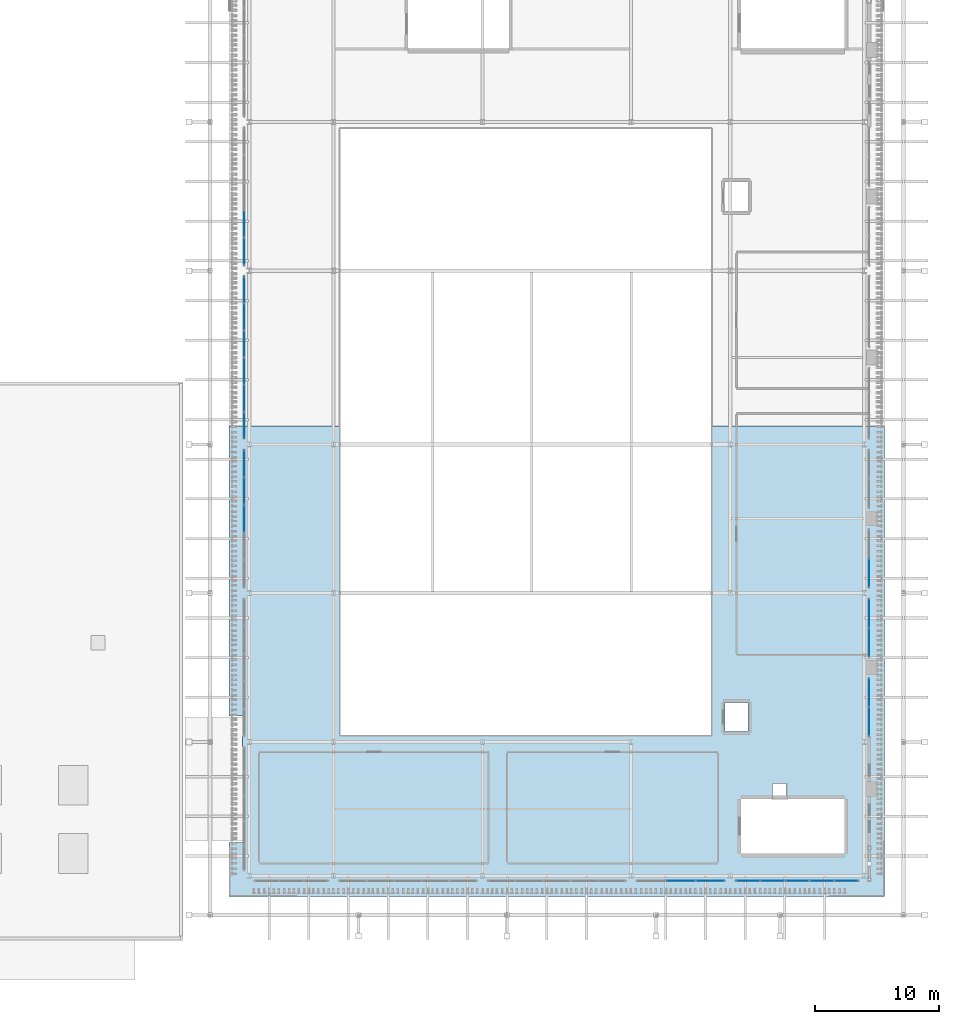
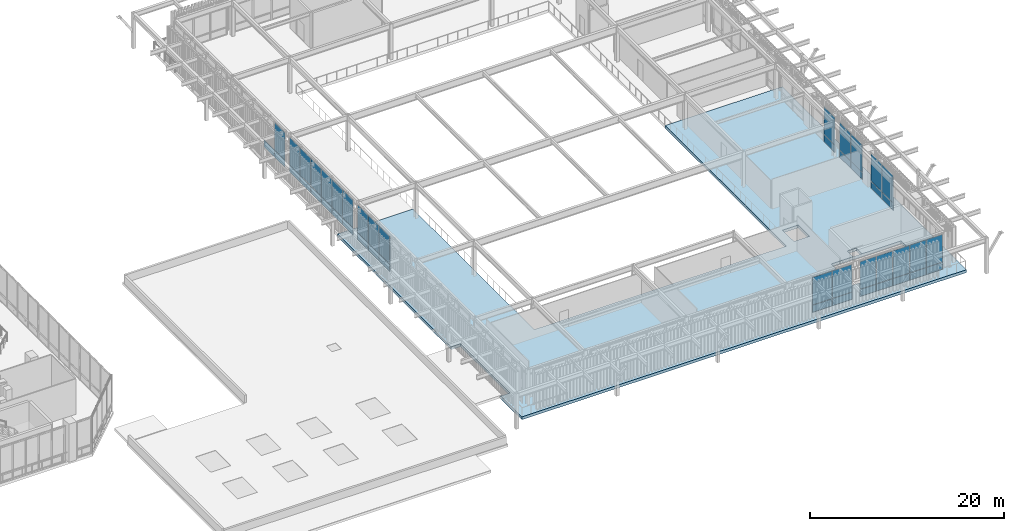
# One storey, part 75 of 126: 45 plates, 1 slab, 8 elements without a shape of their own.
"""IFC4 building model written with IfcOpenShell, lengths in metres."""

from ifc_helpers import new_model, si_unit, derived_unit, direction, frame, origin, origin_2d, place, context, subcontext, project, spatial, polyline, rectangle, outline, extrude, material, layer, layer_set, type_object, element, aggregate, save


model = new_model("IFC4")

# Units and contexts
model_context = context("Model", 3, precision=1e-05, world=origin(), true_north=direction((0.0, 1.0)))
body_context = subcontext(model_context, "Body", "Model", "MODEL_VIEW")
ifc_project = project(units=[si_unit("LENGTHUNIT", "METRE"), si_unit("AREAUNIT", "SQUARE_METRE"), si_unit("VOLUMEUNIT", "CUBIC_METRE"), si_unit("PLANEANGLEUNIT", "RADIAN"), si_unit("MASSUNIT", "GRAM", prefix="KILO"), derived_unit("THERMALTRANSMITTANCEUNIT", [(si_unit("MASSUNIT", "GRAM", prefix="KILO"), 1), (si_unit("TIMEUNIT", "SECOND"), -3), (si_unit("THERMODYNAMICTEMPERATUREUNIT", "KELVIN"), -1)])], contexts=[model_context])

# Site, building, storey
site_placement = place(None, origin())
site = spatial("IfcSite", under=ifc_project, at=site_placement, CompositionType="ELEMENT")
building_placement = place(site_placement, origin())
building = spatial("IfcBuilding", under=site, at=building_placement, Name="Valcora Ridge Arena", CompositionType="ELEMENT")
storey_placement = place(building_placement, frame((0.0, 0.0, 11.39990234375)))
storey = spatial("IfcBuildingStorey", under=building, at=storey_placement, Name="L02", CompositionType="ELEMENT", Elevation=11.39990234375)

# Curtain wall, plates
ifc_material_1 = material(Name="Anodised dark bronze architectural aluminium 6063-T6", Category="aluminium")
ifc_layer_1 = layer(ifc_material_1, 0.179931640625, Name="Anodised dark bronze architectural aluminium 6063-T6")
ifc_layer_set_1 = layer_set([ifc_layer_1], Name="Anodised dark bronze architectural aluminium 6063-T6")
curtain_wall_type_1 = type_object("IfcCurtainWallType", Name="TY-CURTAINWALL-CW-V2-GLAZ-099X45", PredefinedType="NOTDEFINED", material=ifc_layer_set_1)
curtain_wall_1_placement = place(storey_placement, origin())
curtain_wall_1 = element("IfcCurtainWall", 1, at=curtain_wall_1_placement, inside=storey, type_object=curtain_wall_type_1, Name="CW-V2-GLAZ-099X45 CW-0070", PredefinedType="NOTDEFINED")
ifc_material_2 = material(Name="Low-iron solar-control double glazing SHGC 0.28", Category="glass")
ifc_layer_2 = layer(ifc_material_2, 0.028076171875, Name="Low-iron solar-control double glazing SHGC 0.28")
ifc_layer_set_2 = layer_set([ifc_layer_2], Name="Low-iron solar-control double glazing SHGC 0.28")
plate_type_1 = type_object("IfcPlateType", Name="TY-PLT-CWP-1899X0875", PredefinedType="CURTAIN_PANEL", material=ifc_layer_set_2)
plate_1_placement = place(storey_placement, frame((177.4365234375, 4.800048828125, 0.050048828125), z_axis=(0.0, 0.0, 1.0), x_axis=(1.0, 0.0, 0.0)))
plate_1 = element("IfcPlate", 2, at=plate_1_placement, type_object=plate_type_1, Name="CW-0070/P00-00", PredefinedType="CURTAIN_PANEL", context=body_context, shape_type="SweptSolid", body=[
    extrude(rectangle(XDim=1.89892578125, YDim=0.028076171875, at=origin_2d()), origin(), (0.0, 0.0, 1.0), 0.875),
])
plate_2_placement = place(storey_placement, frame((185.363525390625, 4.800048828125, 0.050048828125), z_axis=(0.0, 0.0, 1.0), x_axis=(1.0, 0.0, 0.0)))
plate_2 = element("IfcPlate", 3, at=plate_2_placement, type_object=plate_type_1, Name="CW-0070/P04-00", PredefinedType="CURTAIN_PANEL", context=body_context, shape_type="SweptSolid", body=[
    extrude(rectangle(XDim=1.89892578125, YDim=0.028076171875, at=origin_2d()), origin(), (0.0, 0.0, 1.0), 0.875),
])
ifc_layer_3 = layer(ifc_material_2, 0.028076171875, Name="Low-iron solar-control double glazing SHGC 0.28")
ifc_layer_set_3 = layer_set([ifc_layer_3], Name="Low-iron solar-control double glazing SHGC 0.28")
plate_type_2 = type_object("IfcPlateType", Name="TY-PLT-CWP-1899X3455", PredefinedType="CURTAIN_PANEL", material=ifc_layer_set_3)
plate_3_placement = place(storey_placement, frame((177.4365234375, 4.800048828125, 0.97509765625), z_axis=(0.0, 0.0, 1.0), x_axis=(1.0, 0.0, 0.0)))
plate_3 = element("IfcPlate", 4, at=plate_3_placement, type_object=plate_type_2, Name="CW-0070/P00-01", PredefinedType="CURTAIN_PANEL", context=body_context, shape_type="SweptSolid", body=[
    extrude(rectangle(XDim=1.89892578125, YDim=0.028076171875, at=origin_2d()), origin(), (0.0, 0.0, 1.0), 3.455078125),
])
plate_4_placement = place(storey_placement, frame((185.363525390625, 4.800048828125, 0.97509765625), z_axis=(0.0, 0.0, 1.0), x_axis=(1.0, 0.0, 0.0)))
plate_4 = element("IfcPlate", 5, at=plate_4_placement, type_object=plate_type_2, Name="CW-0070/P04-01", PredefinedType="CURTAIN_PANEL", context=body_context, shape_type="SweptSolid", body=[
    extrude(rectangle(XDim=1.89892578125, YDim=0.028076171875, at=origin_2d()), origin(), (0.0, 0.0, 1.0), 3.455078125),
])
ifc_layer_4 = layer(ifc_material_2, 0.028076171875, Name="Low-iron solar-control double glazing SHGC 0.28")
ifc_layer_set_4 = layer_set([ifc_layer_4], Name="Low-iron solar-control double glazing SHGC 0.28")
plate_type_3 = type_object("IfcPlateType", Name="TY-PLT-CWP-1929X0875", PredefinedType="CURTAIN_PANEL", material=ifc_layer_set_4)
plate_5_placement = place(storey_placement, frame((179.410400390625, 4.800048828125, 0.050048828125), z_axis=(0.0, 0.0, 1.0), x_axis=(1.0, 0.0, 0.0)))
plate_5 = element("IfcPlate", 6, at=plate_5_placement, type_object=plate_type_3, Name="CW-0070/P01-00", PredefinedType="CURTAIN_PANEL", context=body_context, shape_type="SweptSolid", body=[
    extrude(rectangle(XDim=1.928955078125, YDim=0.028076171875, at=origin_2d()), origin(), (0.0, 0.0, 1.0), 0.875),
])
plate_6_placement = place(storey_placement, frame((183.389404296875, 4.800048828125, 0.050048828125), z_axis=(0.0, 0.0, 1.0), x_axis=(1.0, 0.0, 0.0)))
plate_6 = element("IfcPlate", 7, at=plate_6_placement, type_object=plate_type_3, Name="CW-0070/P03-00", PredefinedType="CURTAIN_PANEL", context=body_context, shape_type="SweptSolid", body=[
    extrude(rectangle(XDim=1.928955078125, YDim=0.028076171875, at=origin_2d()), origin(), (0.0, 0.0, 1.0), 0.875),
])
ifc_layer_5 = layer(ifc_material_2, 0.028076171875, Name="Low-iron solar-control double glazing SHGC 0.28")
ifc_layer_set_5 = layer_set([ifc_layer_5], Name="Low-iron solar-control double glazing SHGC 0.28")
plate_type_4 = type_object("IfcPlateType", Name="TY-PLT-CWP-1929X3455", PredefinedType="CURTAIN_PANEL", material=ifc_layer_set_5)
plate_7_placement = place(storey_placement, frame((179.410400390625, 4.800048828125, 0.97509765625), z_axis=(0.0, 0.0, 1.0), x_axis=(1.0, 0.0, 0.0)))
plate_7 = element("IfcPlate", 8, at=plate_7_placement, type_object=plate_type_4, Name="CW-0070/P01-01", PredefinedType="CURTAIN_PANEL", context=body_context, shape_type="SweptSolid", body=[
    extrude(rectangle(XDim=1.928955078125, YDim=0.028076171875, at=origin_2d()), origin(), (0.0, 0.0, 1.0), 3.455078125),
])
plate_8_placement = place(storey_placement, frame((183.389404296875, 4.800048828125, 0.97509765625), z_axis=(0.0, 0.0, 1.0), x_axis=(1.0, 0.0, 0.0)))
plate_8 = element("IfcPlate", 9, at=plate_8_placement, type_object=plate_type_4, Name="CW-0070/P03-01", PredefinedType="CURTAIN_PANEL", context=body_context, shape_type="SweptSolid", body=[
    extrude(rectangle(XDim=1.928955078125, YDim=0.028076171875, at=origin_2d()), origin(), (0.0, 0.0, 1.0), 3.455078125),
])
ifc_layer_6 = layer(ifc_material_2, 0.028076171875, Name="Low-iron solar-control double glazing SHGC 0.28")
ifc_layer_set_6 = layer_set([ifc_layer_6], Name="Low-iron solar-control double glazing SHGC 0.28")
plate_type_5 = type_object("IfcPlateType", Name="TY-PLT-CWP-1930X0875", PredefinedType="CURTAIN_PANEL", material=ifc_layer_set_6)
plate_9_placement = place(storey_placement, frame((181.39990234375, 4.800048828125, 0.050048828125), z_axis=(0.0, 0.0, 1.0), x_axis=(1.0, 0.0, 0.0)))
plate_9 = element("IfcPlate", 10, at=plate_9_placement, type_object=plate_type_5, Name="CW-0070/P02-00", PredefinedType="CURTAIN_PANEL", context=body_context, shape_type="SweptSolid", body=[
    extrude(rectangle(XDim=1.929931640625, YDim=0.028076171875, at=origin_2d()), origin(), (0.0, 0.0, 1.0), 0.875),
])
ifc_layer_7 = layer(ifc_material_2, 0.028076171875, Name="Low-iron solar-control double glazing SHGC 0.28")
ifc_layer_set_7 = layer_set([ifc_layer_7], Name="Low-iron solar-control double glazing SHGC 0.28")
plate_type_6 = type_object("IfcPlateType", Name="TY-PLT-CWP-1930X3455", PredefinedType="CURTAIN_PANEL", material=ifc_layer_set_7)
plate_10_placement = place(storey_placement, frame((181.39990234375, 4.800048828125, 0.97509765625), z_axis=(0.0, 0.0, 1.0), x_axis=(1.0, 0.0, 0.0)))
plate_10 = element("IfcPlate", 11, at=plate_10_placement, type_object=plate_type_6, Name="CW-0070/P02-01", PredefinedType="CURTAIN_PANEL", context=body_context, shape_type="SweptSolid", body=[
    extrude(rectangle(XDim=1.929931640625, YDim=0.028076171875, at=origin_2d()), origin(), (0.0, 0.0, 1.0), 3.455078125),
])
aggregate(curtain_wall_1, [plate_1, plate_3, plate_5, plate_7, plate_9, plate_10, plate_6, plate_8, plate_2, plate_4])

ifc_layer_8 = layer(ifc_material_1, 0.179931640625, Name="Anodised dark bronze architectural aluminium 6063-T6")
ifc_layer_set_8 = layer_set([ifc_layer_8], Name="Anodised dark bronze architectural aluminium 6063-T6")
curtain_wall_type_2 = type_object("IfcCurtainWallType", Name="TY-CURTAINWALL-CW-V2-GLAZ-131X45", PredefinedType="NOTDEFINED", material=ifc_layer_set_8)
curtain_wall_2_placement = place(storey_placement, origin())
curtain_wall_2 = element("IfcCurtainWall", 12, at=curtain_wall_2_placement, inside=storey, type_object=curtain_wall_type_2, Name="CW-V2-GLAZ-131X45 CW-0063", PredefinedType="NOTDEFINED")
ifc_layer_9 = layer(ifc_material_2, 0.028076171875, Name="Low-iron solar-control double glazing SHGC 0.28")
ifc_layer_set_9 = layer_set([ifc_layer_9], Name="Low-iron solar-control double glazing SHGC 0.28")
plate_type_7 = type_object("IfcPlateType", Name="TY-PLT-CWP-2101X0875", PredefinedType="CURTAIN_PANEL", material=ifc_layer_set_9)
plate_11_placement = place(storey_placement, frame((136.800048828125, 41.537109375, 0.050048828125), z_axis=(0.0, 0.0, 1.0), x_axis=(0.0, 1.0, 0.0)))
plate_11 = element("IfcPlate", 13, at=plate_11_placement, type_object=plate_type_7, Name="CW-0063/P00-00", PredefinedType="CURTAIN_PANEL", context=body_context, shape_type="SweptSolid", body=[
    extrude(rectangle(XDim=2.10107421875, YDim=0.028076171875, at=origin_2d()), origin(), (0.0, 0.0, 1.0), 0.875),
])
plate_12_placement = place(storey_placement, frame((136.800048828125, 52.462890625, 0.050048828125), z_axis=(0.0, 0.0, 1.0), x_axis=(0.0, 1.0, 0.0)))
plate_12 = element("IfcPlate", 14, at=plate_12_placement, type_object=plate_type_7, Name="CW-0063/P05-00", PredefinedType="CURTAIN_PANEL", context=body_context, shape_type="SweptSolid", body=[
    extrude(rectangle(XDim=2.10107421875, YDim=0.028076171875, at=origin_2d()), origin(), (0.0, 0.0, 1.0), 0.875),
])
ifc_layer_10 = layer(ifc_material_2, 0.028076171875, Name="Low-iron solar-control double glazing SHGC 0.28")
ifc_layer_set_10 = layer_set([ifc_layer_10], Name="Low-iron solar-control double glazing SHGC 0.28")
plate_type_8 = type_object("IfcPlateType", Name="TY-PLT-CWP-2101X3455", PredefinedType="CURTAIN_PANEL", material=ifc_layer_set_10)
plate_13_placement = place(storey_placement, frame((136.800048828125, 41.537109375, 0.97509765625), z_axis=(0.0, 0.0, 1.0), x_axis=(0.0, 1.0, 0.0)))
plate_13 = element("IfcPlate", 15, at=plate_13_placement, type_object=plate_type_8, Name="CW-0063/P00-01", PredefinedType="CURTAIN_PANEL", context=body_context, shape_type="SweptSolid", body=[
    extrude(rectangle(XDim=2.10107421875, YDim=0.028076171875, at=origin_2d()), origin(), (0.0, 0.0, 1.0), 3.455078125),
])
plate_14_placement = place(storey_placement, frame((136.800048828125, 52.462890625, 0.97509765625), z_axis=(0.0, 0.0, 1.0), x_axis=(0.0, 1.0, 0.0)))
plate_14 = element("IfcPlate", 16, at=plate_14_placement, type_object=plate_type_8, Name="CW-0063/P05-01", PredefinedType="CURTAIN_PANEL", context=body_context, shape_type="SweptSolid", body=[
    extrude(rectangle(XDim=2.10107421875, YDim=0.028076171875, at=origin_2d()), origin(), (0.0, 0.0, 1.0), 3.455078125),
])
ifc_layer_11 = layer(ifc_material_2, 0.028076171875, Name="Low-iron solar-control double glazing SHGC 0.28")
ifc_layer_set_11 = layer_set([ifc_layer_11], Name="Low-iron solar-control double glazing SHGC 0.28")
plate_type_9 = type_object("IfcPlateType", Name="TY-PLT-CWP-2131X0875", PredefinedType="CURTAIN_PANEL", material=ifc_layer_set_11)
plate_15_placement = place(storey_placement, frame((136.800048828125, 43.712890625, 0.050048828125), z_axis=(0.0, 0.0, 1.0), x_axis=(0.0, 1.0, 0.0)))
plate_15 = element("IfcPlate", 17, at=plate_15_placement, type_object=plate_type_9, Name="CW-0063/P01-00", PredefinedType="CURTAIN_PANEL", context=body_context, shape_type="SweptSolid", body=[
    extrude(rectangle(XDim=2.131103515625, YDim=0.028076171875, at=origin_2d()), origin(), (0.0, 0.0, 1.0), 0.875),
])
plate_16_placement = place(storey_placement, frame((136.800048828125, 45.904052734375, 0.050048828125), z_axis=(0.0, 0.0, 1.0), x_axis=(0.0, 1.0, 0.0)))
plate_16 = element("IfcPlate", 18, at=plate_16_placement, type_object=plate_type_9, Name="CW-0063/P02-00", PredefinedType="CURTAIN_PANEL", context=body_context, shape_type="SweptSolid", body=[
    extrude(rectangle(XDim=2.131103515625, YDim=0.028076171875, at=origin_2d()), origin(), (0.0, 0.0, 1.0), 0.875),
])
plate_17_placement = place(storey_placement, frame((136.800048828125, 48.095947265625, 0.050048828125), z_axis=(0.0, 0.0, 1.0), x_axis=(0.0, 1.0, 0.0)))
plate_17 = element("IfcPlate", 19, at=plate_17_placement, type_object=plate_type_9, Name="CW-0063/P03-00", PredefinedType="CURTAIN_PANEL", context=body_context, shape_type="SweptSolid", body=[
    extrude(rectangle(XDim=2.131103515625, YDim=0.028076171875, at=origin_2d()), origin(), (0.0, 0.0, 1.0), 0.875),
])
plate_18_placement = place(storey_placement, frame((136.800048828125, 50.287109375, 0.050048828125), z_axis=(0.0, 0.0, 1.0), x_axis=(0.0, 1.0, 0.0)))
plate_18 = element("IfcPlate", 20, at=plate_18_placement, type_object=plate_type_9, Name="CW-0063/P04-00", PredefinedType="CURTAIN_PANEL", context=body_context, shape_type="SweptSolid", body=[
    extrude(rectangle(XDim=2.131103515625, YDim=0.028076171875, at=origin_2d()), origin(), (0.0, 0.0, 1.0), 0.875),
])
ifc_layer_12 = layer(ifc_material_2, 0.028076171875, Name="Low-iron solar-control double glazing SHGC 0.28")
ifc_layer_set_12 = layer_set([ifc_layer_12], Name="Low-iron solar-control double glazing SHGC 0.28")
plate_type_10 = type_object("IfcPlateType", Name="TY-PLT-CWP-2131X3455", PredefinedType="CURTAIN_PANEL", material=ifc_layer_set_12)
plate_19_placement = place(storey_placement, frame((136.800048828125, 43.712890625, 0.97509765625), z_axis=(0.0, 0.0, 1.0), x_axis=(0.0, 1.0, 0.0)))
plate_19 = element("IfcPlate", 21, at=plate_19_placement, type_object=plate_type_10, Name="CW-0063/P01-01", PredefinedType="CURTAIN_PANEL", context=body_context, shape_type="SweptSolid", body=[
    extrude(rectangle(XDim=2.131103515625, YDim=0.028076171875, at=origin_2d()), origin(), (0.0, 0.0, 1.0), 3.455078125),
])
plate_20_placement = place(storey_placement, frame((136.800048828125, 45.904052734375, 0.97509765625), z_axis=(0.0, 0.0, 1.0), x_axis=(0.0, 1.0, 0.0)))
plate_20 = element("IfcPlate", 22, at=plate_20_placement, type_object=plate_type_10, Name="CW-0063/P02-01", PredefinedType="CURTAIN_PANEL", context=body_context, shape_type="SweptSolid", body=[
    extrude(rectangle(XDim=2.131103515625, YDim=0.028076171875, at=origin_2d()), origin(), (0.0, 0.0, 1.0), 3.455078125),
])
plate_21_placement = place(storey_placement, frame((136.800048828125, 48.095947265625, 0.97509765625), z_axis=(0.0, 0.0, 1.0), x_axis=(0.0, 1.0, 0.0)))
plate_21 = element("IfcPlate", 23, at=plate_21_placement, type_object=plate_type_10, Name="CW-0063/P03-01", PredefinedType="CURTAIN_PANEL", context=body_context, shape_type="SweptSolid", body=[
    extrude(rectangle(XDim=2.131103515625, YDim=0.028076171875, at=origin_2d()), origin(), (0.0, 0.0, 1.0), 3.455078125),
])
plate_22_placement = place(storey_placement, frame((136.800048828125, 50.287109375, 0.97509765625), z_axis=(0.0, 0.0, 1.0), x_axis=(0.0, 1.0, 0.0)))
plate_22 = element("IfcPlate", 24, at=plate_22_placement, type_object=plate_type_10, Name="CW-0063/P04-01", PredefinedType="CURTAIN_PANEL", context=body_context, shape_type="SweptSolid", body=[
    extrude(rectangle(XDim=2.131103515625, YDim=0.028076171875, at=origin_2d()), origin(), (0.0, 0.0, 1.0), 3.455078125),
])
aggregate(curtain_wall_2, [plate_11, plate_13, plate_15, plate_19, plate_16, plate_20, plate_17, plate_21, plate_18, plate_22, plate_12, plate_14])

# Curtain wall, plate
ifc_layer_13 = layer(ifc_material_1, 0.179931640625, Name="Anodised dark bronze architectural aluminium 6063-T6")
ifc_layer_set_13 = layer_set([ifc_layer_13], Name="Anodised dark bronze architectural aluminium 6063-T6")
curtain_wall_type_3 = type_object("IfcCurtainWallType", Name="TY-CURTAINWALL-CW-V2-GLAZ-111X45", PredefinedType="NOTDEFINED", material=ifc_layer_set_13)
curtain_wall_3_placement = place(storey_placement, origin())
curtain_wall_3 = element("IfcCurtainWall", 25, at=curtain_wall_3_placement, inside=storey, type_object=curtain_wall_type_3, Name="CW-V2-GLAZ-111X45 CW-0062", PredefinedType="NOTDEFINED")
ifc_layer_14 = layer(ifc_material_2, 0.028076171875, Name="Low-iron solar-control double glazing SHGC 0.28")
ifc_layer_set_14 = layer_set([ifc_layer_14], Name="Low-iron solar-control double glazing SHGC 0.28")
plate_type_11 = type_object("IfcPlateType", Name="TY-PLT-CWP-2139X0875", PredefinedType="CURTAIN_PANEL", material=ifc_layer_set_14)
plate_23_placement = place(storey_placement, frame((136.800048828125, 38.444091796875, 0.050048828125), z_axis=(0.0, 0.0, 1.0), x_axis=(0.0, 1.0, 0.0)))
plate_23 = element("IfcPlate", 26, at=plate_23_placement, type_object=plate_type_11, Name="CW-0062/P04-00", PredefinedType="CURTAIN_PANEL", context=body_context, shape_type="SweptSolid", body=[
    extrude(rectangle(XDim=2.138916015625, YDim=0.028076171875, at=origin_2d()), origin(), (0.0, 0.0, 1.0), 0.875),
])

curtain_wall_4_placement = place(storey_placement, origin())
curtain_wall_4 = element("IfcCurtainWall", 27, at=curtain_wall_4_placement, inside=storey, type_object=curtain_wall_type_3, Name="CW-V2-GLAZ-111X45 CW-0064", PredefinedType="NOTDEFINED")
plate_24_placement = place(storey_placement, frame((136.800048828125, 55.555908203125, 0.050048828125), z_axis=(0.0, 0.0, 1.0), x_axis=(0.0, 1.0, 0.0)))
plate_24 = element("IfcPlate", 28, at=plate_24_placement, type_object=plate_type_11, Name="CW-0064/P00-00", PredefinedType="CURTAIN_PANEL", context=body_context, shape_type="SweptSolid", body=[
    extrude(rectangle(XDim=2.138916015625, YDim=0.028076171875, at=origin_2d()), origin(), (0.0, 0.0, 1.0), 0.875),
])

# Plate
ifc_layer_15 = layer(ifc_material_2, 0.028076171875, Name="Low-iron solar-control double glazing SHGC 0.28")
ifc_layer_set_15 = layer_set([ifc_layer_15], Name="Low-iron solar-control double glazing SHGC 0.28")
plate_type_12 = type_object("IfcPlateType", Name="TY-PLT-CWP-2139X3455", PredefinedType="CURTAIN_PANEL", material=ifc_layer_set_15)
plate_25_placement = place(storey_placement, frame((136.800048828125, 38.444091796875, 0.97509765625), z_axis=(0.0, 0.0, 1.0), x_axis=(0.0, 1.0, 0.0)))
plate_25 = element("IfcPlate", 29, at=plate_25_placement, type_object=plate_type_12, Name="CW-0062/P04-01", PredefinedType="CURTAIN_PANEL", context=body_context, shape_type="SweptSolid", body=[
    extrude(rectangle(XDim=2.138916015625, YDim=0.028076171875, at=origin_2d()), origin(), (0.0, 0.0, 1.0), 3.455078125),
])

plate_26_placement = place(storey_placement, frame((136.800048828125, 55.555908203125, 0.97509765625), z_axis=(0.0, 0.0, 1.0), x_axis=(0.0, 1.0, 0.0)))
plate_26 = element("IfcPlate", 30, at=plate_26_placement, type_object=plate_type_12, Name="CW-0064/P00-01", PredefinedType="CURTAIN_PANEL", context=body_context, shape_type="SweptSolid", body=[
    extrude(rectangle(XDim=2.138916015625, YDim=0.028076171875, at=origin_2d()), origin(), (0.0, 0.0, 1.0), 3.455078125),
])

ifc_layer_16 = layer(ifc_material_2, 0.028076171875, Name="Low-iron solar-control double glazing SHGC 0.28")
ifc_layer_set_16 = layer_set([ifc_layer_16], Name="Low-iron solar-control double glazing SHGC 0.28")
plate_type_13 = type_object("IfcPlateType", Name="TY-PLT-CWP-2169X0875", PredefinedType="CURTAIN_PANEL", material=ifc_layer_set_16)
plate_27_placement = place(storey_placement, frame((136.800048828125, 34.0, 0.050048828125), z_axis=(0.0, 0.0, 1.0), x_axis=(0.0, 1.0, 0.0)))
plate_27 = element("IfcPlate", 31, at=plate_27_placement, type_object=plate_type_13, Name="CW-0062/P02-00", PredefinedType="CURTAIN_PANEL", context=body_context, shape_type="SweptSolid", body=[
    extrude(rectangle(XDim=2.1689453125, YDim=0.028076171875, at=origin_2d()), origin(), (0.0, 0.0, 1.0), 0.875),
])

ifc_layer_17 = layer(ifc_material_2, 0.028076171875, Name="Low-iron solar-control double glazing SHGC 0.28")
ifc_layer_set_17 = layer_set([ifc_layer_17], Name="Low-iron solar-control double glazing SHGC 0.28")
plate_type_14 = type_object("IfcPlateType", Name="TY-PLT-CWP-2169X3455", PredefinedType="CURTAIN_PANEL", material=ifc_layer_set_17)
plate_28_placement = place(storey_placement, frame((136.800048828125, 34.0, 0.97509765625), z_axis=(0.0, 0.0, 1.0), x_axis=(0.0, 1.0, 0.0)))
plate_28 = element("IfcPlate", 32, at=plate_28_placement, type_object=plate_type_14, Name="CW-0062/P02-01", PredefinedType="CURTAIN_PANEL", context=body_context, shape_type="SweptSolid", body=[
    extrude(rectangle(XDim=2.1689453125, YDim=0.028076171875, at=origin_2d()), origin(), (0.0, 0.0, 1.0), 3.455078125),
])

ifc_layer_18 = layer(ifc_material_2, 0.028076171875, Name="Low-iron solar-control double glazing SHGC 0.28")
ifc_layer_set_18 = layer_set([ifc_layer_18], Name="Low-iron solar-control double glazing SHGC 0.28")
plate_type_15 = type_object("IfcPlateType", Name="TY-PLT-CWP-2170X0875", PredefinedType="CURTAIN_PANEL", material=ifc_layer_set_18)
plate_29_placement = place(storey_placement, frame((136.800048828125, 36.2294921875, 0.050048828125), z_axis=(0.0, 0.0, 1.0), x_axis=(0.0, 1.0, 0.0)))
plate_29 = element("IfcPlate", 33, at=plate_29_placement, type_object=plate_type_15, Name="CW-0062/P03-00", PredefinedType="CURTAIN_PANEL", context=body_context, shape_type="SweptSolid", body=[
    extrude(rectangle(XDim=2.169921875, YDim=0.028076171875, at=origin_2d()), origin(), (0.0, 0.0, 1.0), 0.875),
])

plate_30_placement = place(storey_placement, frame((136.800048828125, 57.7705078125, 0.050048828125), z_axis=(0.0, 0.0, 1.0), x_axis=(0.0, 1.0, 0.0)))
plate_30 = element("IfcPlate", 34, at=plate_30_placement, type_object=plate_type_15, Name="CW-0064/P01-00", PredefinedType="CURTAIN_PANEL", context=body_context, shape_type="SweptSolid", body=[
    extrude(rectangle(XDim=2.169921875, YDim=0.028076171875, at=origin_2d()), origin(), (0.0, 0.0, 1.0), 0.875),
])

aggregate(curtain_wall_4, [plate_24, plate_26, plate_30])

ifc_layer_19 = layer(ifc_material_2, 0.028076171875, Name="Low-iron solar-control double glazing SHGC 0.28")
ifc_layer_set_19 = layer_set([ifc_layer_19], Name="Low-iron solar-control double glazing SHGC 0.28")
plate_type_16 = type_object("IfcPlateType", Name="TY-PLT-CWP-2170X3455", PredefinedType="CURTAIN_PANEL", material=ifc_layer_set_19)
plate_31_placement = place(storey_placement, frame((136.800048828125, 36.2294921875, 0.97509765625), z_axis=(0.0, 0.0, 1.0), x_axis=(0.0, 1.0, 0.0)))
plate_31 = element("IfcPlate", 35, at=plate_31_placement, type_object=plate_type_16, Name="CW-0062/P03-01", PredefinedType="CURTAIN_PANEL", context=body_context, shape_type="SweptSolid", body=[
    extrude(rectangle(XDim=2.169921875, YDim=0.028076171875, at=origin_2d()), origin(), (0.0, 0.0, 1.0), 3.455078125),
])

aggregate(curtain_wall_3, [plate_27, plate_28, plate_29, plate_31, plate_23, plate_25])

# Curtain wall, plate
ifc_layer_20 = layer(ifc_material_1, 0.179931640625, Name="Anodised dark bronze architectural aluminium 6063-T6")
ifc_layer_set_20 = layer_set([ifc_layer_20], Name="Anodised dark bronze architectural aluminium 6063-T6")
curtain_wall_type_4 = type_object("IfcCurtainWallType", Name="TY-CURTAINWALL-CW-V2-GLAZ-047X45", PredefinedType="NOTDEFINED", material=ifc_layer_set_20)
curtain_wall_5_placement = place(storey_placement, origin())
curtain_wall_5 = element("IfcCurtainWall", 36, at=curtain_wall_5_placement, inside=storey, type_object=curtain_wall_type_4, Name="CW-V2-GLAZ-047X45 CW-0071", PredefinedType="NOTDEFINED")
ifc_layer_21 = layer(ifc_material_2, 0.028076171875, Name="Low-iron solar-control double glazing SHGC 0.28")
ifc_layer_set_21 = layer_set([ifc_layer_21], Name="Low-iron solar-control double glazing SHGC 0.28")
plate_type_17 = type_object("IfcPlateType", Name="TY-PLT-CWP-2276X0875", PredefinedType="CURTAIN_PANEL", material=ifc_layer_set_21)
plate_32_placement = place(storey_placement, frame((187.199951171875, 19.96142578125, 0.050048828125), z_axis=(0.0, 0.0, 1.0), x_axis=(0.0, 1.0, 0.0)))
plate_32 = element("IfcPlate", 37, at=plate_32_placement, type_object=plate_type_17, Name="CW-0071/P01-00", PredefinedType="CURTAIN_PANEL", context=body_context, shape_type="SweptSolid", body=[
    extrude(rectangle(XDim=2.27587890625, YDim=0.028076171875, at=origin_2d()), origin(), (0.0, 0.0, 1.0), 0.875),
])

curtain_wall_6_placement = place(storey_placement, origin())
curtain_wall_6 = element("IfcCurtainWall", 38, at=curtain_wall_6_placement, inside=storey, type_object=curtain_wall_type_4, Name="CW-V2-GLAZ-047X45 CW-0072", PredefinedType="NOTDEFINED")
plate_33_placement = place(storey_placement, frame((187.199951171875, 26.375, 0.050048828125), z_axis=(0.0, 0.0, 1.0), x_axis=(0.0, 1.0, 0.0)))
plate_33 = element("IfcPlate", 39, at=plate_33_placement, type_object=plate_type_17, Name="CW-0072/P01-00", PredefinedType="CURTAIN_PANEL", context=body_context, shape_type="SweptSolid", body=[
    extrude(rectangle(XDim=2.27587890625, YDim=0.028076171875, at=origin_2d()), origin(), (0.0, 0.0, 1.0), 0.875),
])

# Plate
ifc_layer_22 = layer(ifc_material_2, 0.028076171875, Name="Low-iron solar-control double glazing SHGC 0.28")
ifc_layer_set_22 = layer_set([ifc_layer_22], Name="Low-iron solar-control double glazing SHGC 0.28")
plate_type_18 = type_object("IfcPlateType", Name="TY-PLT-CWP-2276X3455", PredefinedType="CURTAIN_PANEL", material=ifc_layer_set_22)
plate_34_placement = place(storey_placement, frame((187.199951171875, 19.96142578125, 0.97509765625), z_axis=(0.0, 0.0, 1.0), x_axis=(0.0, 1.0, 0.0)))
plate_34 = element("IfcPlate", 40, at=plate_34_placement, type_object=plate_type_18, Name="CW-0071/P01-01", PredefinedType="CURTAIN_PANEL", context=body_context, shape_type="SweptSolid", body=[
    extrude(rectangle(XDim=2.27587890625, YDim=0.028076171875, at=origin_2d()), origin(), (0.0, 0.0, 1.0), 3.455078125),
])

plate_35_placement = place(storey_placement, frame((187.199951171875, 26.375, 0.97509765625), z_axis=(0.0, 0.0, 1.0), x_axis=(0.0, 1.0, 0.0)))
plate_35 = element("IfcPlate", 41, at=plate_35_placement, type_object=plate_type_18, Name="CW-0072/P01-01", PredefinedType="CURTAIN_PANEL", context=body_context, shape_type="SweptSolid", body=[
    extrude(rectangle(XDim=2.27587890625, YDim=0.028076171875, at=origin_2d()), origin(), (0.0, 0.0, 1.0), 3.455078125),
])

ifc_layer_23 = layer(ifc_material_2, 0.028076171875, Name="Low-iron solar-control double glazing SHGC 0.28")
ifc_layer_set_23 = layer_set([ifc_layer_23], Name="Low-iron solar-control double glazing SHGC 0.28")
plate_type_19 = type_object("IfcPlateType", Name="TY-PLT-CWP-2277X0875", PredefinedType="CURTAIN_PANEL", material=ifc_layer_set_23)
plate_36_placement = place(storey_placement, frame((187.199951171875, 17.625, 0.050048828125), z_axis=(0.0, 0.0, 1.0), x_axis=(0.0, 1.0, 0.0)))
plate_36 = element("IfcPlate", 42, at=plate_36_placement, type_object=plate_type_19, Name="CW-0071/P00-00", PredefinedType="CURTAIN_PANEL", context=body_context, shape_type="SweptSolid", body=[
    extrude(rectangle(XDim=2.277099609375, YDim=0.028076171875, at=origin_2d()), origin(), (0.0, 0.0, 1.0), 0.875),
])

plate_37_placement = place(storey_placement, frame((187.199951171875, 24.03857421875, 0.050048828125), z_axis=(0.0, 0.0, 1.0), x_axis=(0.0, 1.0, 0.0)))
plate_37 = element("IfcPlate", 43, at=plate_37_placement, type_object=plate_type_19, Name="CW-0072/P00-00", PredefinedType="CURTAIN_PANEL", context=body_context, shape_type="SweptSolid", body=[
    extrude(rectangle(XDim=2.277099609375, YDim=0.028076171875, at=origin_2d()), origin(), (0.0, 0.0, 1.0), 0.875),
])

# Curtain wall, plate
curtain_wall_7_placement = place(storey_placement, origin())
curtain_wall_7 = element("IfcCurtainWall", 44, at=curtain_wall_7_placement, inside=storey, type_object=curtain_wall_type_4, Name="CW-V2-GLAZ-047X45 CW-0073", PredefinedType="NOTDEFINED")
plate_38_placement = place(storey_placement, frame((187.199951171875, 29.625, 0.050048828125), z_axis=(0.0, 0.0, 1.0), x_axis=(0.0, 1.0, 0.0)))
plate_38 = element("IfcPlate", 45, at=plate_38_placement, type_object=plate_type_19, Name="CW-0073/P00-00", PredefinedType="CURTAIN_PANEL", context=body_context, shape_type="SweptSolid", body=[
    extrude(rectangle(XDim=2.277099609375, YDim=0.028076171875, at=origin_2d()), origin(), (0.0, 0.0, 1.0), 0.875),
])

# Plate
ifc_layer_24 = layer(ifc_material_2, 0.028076171875, Name="Low-iron solar-control double glazing SHGC 0.28")
ifc_layer_set_24 = layer_set([ifc_layer_24], Name="Low-iron solar-control double glazing SHGC 0.28")
plate_type_20 = type_object("IfcPlateType", Name="TY-PLT-CWP-2277X3455", PredefinedType="CURTAIN_PANEL", material=ifc_layer_set_24)
plate_39_placement = place(storey_placement, frame((187.199951171875, 17.625, 0.97509765625), z_axis=(0.0, 0.0, 1.0), x_axis=(0.0, 1.0, 0.0)))
plate_39 = element("IfcPlate", 46, at=plate_39_placement, type_object=plate_type_20, Name="CW-0071/P00-01", PredefinedType="CURTAIN_PANEL", context=body_context, shape_type="SweptSolid", body=[
    extrude(rectangle(XDim=2.277099609375, YDim=0.028076171875, at=origin_2d()), origin(), (0.0, 0.0, 1.0), 3.455078125),
])

aggregate(curtain_wall_5, [plate_36, plate_39, plate_32, plate_34])

plate_40_placement = place(storey_placement, frame((187.199951171875, 24.03857421875, 0.97509765625), z_axis=(0.0, 0.0, 1.0), x_axis=(0.0, 1.0, 0.0)))
plate_40 = element("IfcPlate", 47, at=plate_40_placement, type_object=plate_type_20, Name="CW-0072/P00-01", PredefinedType="CURTAIN_PANEL", context=body_context, shape_type="SweptSolid", body=[
    extrude(rectangle(XDim=2.277099609375, YDim=0.028076171875, at=origin_2d()), origin(), (0.0, 0.0, 1.0), 3.455078125),
])

aggregate(curtain_wall_6, [plate_37, plate_40, plate_33, plate_35])

plate_41_placement = place(storey_placement, frame((187.199951171875, 29.625, 0.97509765625), z_axis=(0.0, 0.0, 1.0), x_axis=(0.0, 1.0, 0.0)))
plate_41 = element("IfcPlate", 48, at=plate_41_placement, type_object=plate_type_20, Name="CW-0073/P00-01", PredefinedType="CURTAIN_PANEL", context=body_context, shape_type="SweptSolid", body=[
    extrude(rectangle(XDim=2.277099609375, YDim=0.028076171875, at=origin_2d()), origin(), (0.0, 0.0, 1.0), 3.455078125),
])

aggregate(curtain_wall_7, [plate_38, plate_41])

# Curtain wall, plates
ifc_layer_25 = layer(ifc_material_1, 0.179931640625, Name="Anodised dark bronze architectural aluminium 6063-T6")
ifc_layer_set_25 = layer_set([ifc_layer_25], Name="Anodised dark bronze architectural aluminium 6063-T6")
curtain_wall_type_5 = type_object("IfcCurtainWallType", Name="TY-CURTAINWALL-CW-V2-GLAZ-071X45", PredefinedType="NOTDEFINED", material=ifc_layer_set_25)
curtain_wall_8_placement = place(storey_placement, origin())
curtain_wall_8 = element("IfcCurtainWall", 49, at=curtain_wall_8_placement, inside=storey, type_object=curtain_wall_type_5, Name="CW-V2-GLAZ-071X45 CW-0069", PredefinedType="NOTDEFINED")
ifc_layer_26 = layer(ifc_material_2, 0.028076171875, Name="Low-iron solar-control double glazing SHGC 0.28")
ifc_layer_set_26 = layer_set([ifc_layer_26], Name="Low-iron solar-control double glazing SHGC 0.28")
plate_type_21 = type_object("IfcPlateType", Name="TY-PLT-CWP-2292X0875", PredefinedType="CURTAIN_PANEL", material=ifc_layer_set_26)
plate_42_placement = place(storey_placement, frame((174.366943359375, 4.800048828125, 0.050048828125), z_axis=(0.0, 0.0, 1.0), x_axis=(1.0, 0.0, 0.0)))
plate_42 = element("IfcPlate", 50, at=plate_42_placement, type_object=plate_type_21, Name="CW-0069/P02-00", PredefinedType="CURTAIN_PANEL", context=body_context, shape_type="SweptSolid", body=[
    extrude(rectangle(XDim=2.2919921875, YDim=0.028076171875, at=origin_2d()), origin(), (0.0, 0.0, 1.0), 0.875),
])
ifc_layer_27 = layer(ifc_material_2, 0.028076171875, Name="Low-iron solar-control double glazing SHGC 0.28")
ifc_layer_set_27 = layer_set([ifc_layer_27], Name="Low-iron solar-control double glazing SHGC 0.28")
plate_type_22 = type_object("IfcPlateType", Name="TY-PLT-CWP-2292X3455", PredefinedType="CURTAIN_PANEL", material=ifc_layer_set_27)
plate_43_placement = place(storey_placement, frame((174.366943359375, 4.800048828125, 0.97509765625), z_axis=(0.0, 0.0, 1.0), x_axis=(1.0, 0.0, 0.0)))
plate_43 = element("IfcPlate", 51, at=plate_43_placement, type_object=plate_type_22, Name="CW-0069/P02-01", PredefinedType="CURTAIN_PANEL", context=body_context, shape_type="SweptSolid", body=[
    extrude(rectangle(XDim=2.2919921875, YDim=0.028076171875, at=origin_2d()), origin(), (0.0, 0.0, 1.0), 3.455078125),
])
ifc_layer_28 = layer(ifc_material_2, 0.028076171875, Name="Low-iron solar-control double glazing SHGC 0.28")
ifc_layer_set_28 = layer_set([ifc_layer_28], Name="Low-iron solar-control double glazing SHGC 0.28")
plate_type_23 = type_object("IfcPlateType", Name="TY-PLT-CWP-2322X0875", PredefinedType="CURTAIN_PANEL", material=ifc_layer_set_28)
plate_44_placement = place(storey_placement, frame((172.0, 4.800048828125, 0.050048828125), z_axis=(0.0, 0.0, 1.0), x_axis=(1.0, 0.0, 0.0)))
plate_44 = element("IfcPlate", 52, at=plate_44_placement, type_object=plate_type_23, Name="CW-0069/P01-00", PredefinedType="CURTAIN_PANEL", context=body_context, shape_type="SweptSolid", body=[
    extrude(rectangle(XDim=2.322021484375, YDim=0.028076171875, at=origin_2d()), origin(), (0.0, 0.0, 1.0), 0.875),
])
ifc_layer_29 = layer(ifc_material_2, 0.028076171875, Name="Low-iron solar-control double glazing SHGC 0.28")
ifc_layer_set_29 = layer_set([ifc_layer_29], Name="Low-iron solar-control double glazing SHGC 0.28")
plate_type_24 = type_object("IfcPlateType", Name="TY-PLT-CWP-2322X3455", PredefinedType="CURTAIN_PANEL", material=ifc_layer_set_29)
plate_45_placement = place(storey_placement, frame((172.0, 4.800048828125, 0.97509765625), z_axis=(0.0, 0.0, 1.0), x_axis=(1.0, 0.0, 0.0)))
plate_45 = element("IfcPlate", 53, at=plate_45_placement, type_object=plate_type_24, Name="CW-0069/P01-01", PredefinedType="CURTAIN_PANEL", context=body_context, shape_type="SweptSolid", body=[
    extrude(rectangle(XDim=2.322021484375, YDim=0.028076171875, at=origin_2d()), origin(), (0.0, 0.0, 1.0), 3.455078125),
])
aggregate(curtain_wall_8, [plate_44, plate_45, plate_42, plate_43])

# Slab
ifc_material_3 = material(Name="Concrete C40/50", Category="concrete")
ifc_layer_30 = layer(ifc_material_3, 0.360107421875, Name="Concrete C40/50")
ifc_layer_set_30 = layer_set([ifc_layer_30], Name="Concrete C40/50")
slab_type = type_object("IfcSlabType", Name="TY-SLAB-SL-GAL-360-S", PredefinedType="FLOOR", material=ifc_layer_set_30)
slab_placement = place(storey_placement, frame((0.0, 0.0, -0.35986328125)))
element("IfcSlab", 54, at=slab_placement, inside=storey, type_object=slab_type, Name="SL-GAL-360-S SLB-0055", PredefinedType="FLOOR", context=body_context, shape_type="SweptSolid", body=[
    extrude(outline(polyline([(136.64990234375, 7.89990234375), (135.550048828125, 7.89990234375), (135.550048828125, 3.550048828125), (188.449951171875, 3.550048828125), (188.449951171875, 41.5), (174.5, 41.5), (174.5, 16.5), (144.5, 16.5), (144.5, 41.5), (135.550048828125, 41.5), (135.550048828125, 18.10009765625), (136.64990234375, 18.10009765625), (136.64990234375, 7.89990234375)]), holes=[polyline([(179.455078125, 11.405029296875), (180.544921875, 11.405029296875), (180.544921875, 12.594970703125), (179.455078125, 12.594970703125), (179.455078125, 11.405029296875)]), polyline([(185.199951171875, 11.39990234375), (176.8798828125, 11.39990234375), (176.8798828125, 7.0), (185.199951171875, 7.0), (185.199951171875, 11.39990234375)]), polyline([(177.419921875, 19.169921875), (175.580078125, 19.169921875), (175.580078125, 16.830078125), (177.419921875, 16.830078125), (177.419921875, 19.169921875)])]), origin(), (0.0, 0.0, 1.0), 0.35986328125),
])

save(model, "model.ifc")
